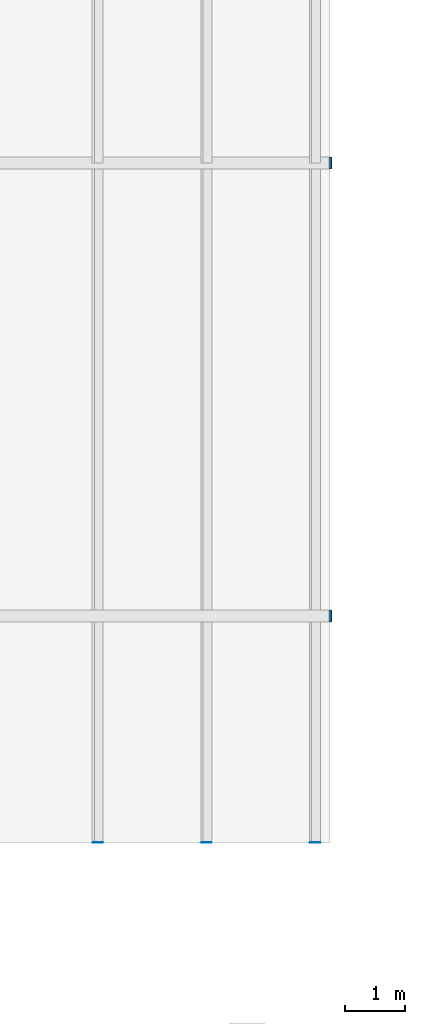
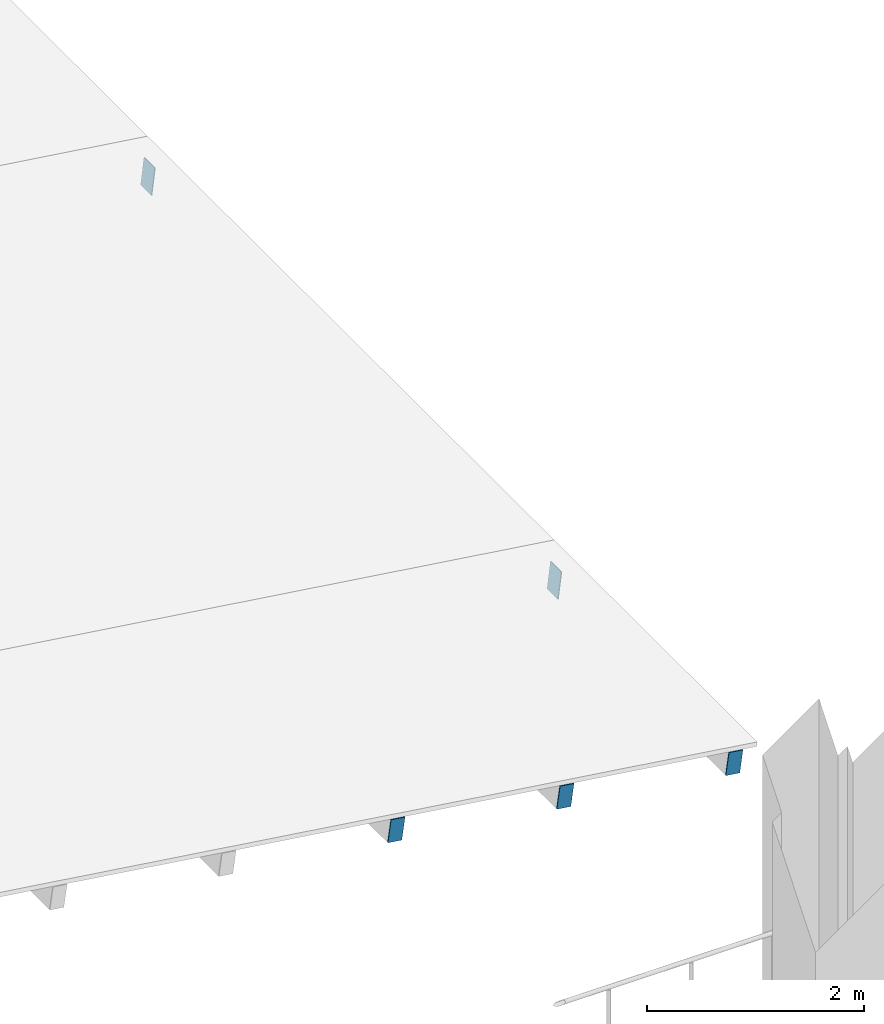
# One storey, part 30 of 52: 5 discrete accessories.
"""IFC4 building model written with IfcOpenShell, lengths in metres."""

from ifc_helpers import new_model, si_unit, direction, frame, origin, origin_2d, place, context, subcontext, project, spatial, rectangle, extrude, material, material_profile, profile_set, type_object, element, save


model = new_model("IFC4")

# Units and contexts
model_context = context("Model", 3, precision=1e-05, world=origin(), true_north=direction((0.0, 1.0)))
body_context = subcontext(model_context, "Body", "Model", "MODEL_VIEW")
ifc_project = project(units=[si_unit("LENGTHUNIT", "METRE"), si_unit("AREAUNIT", "SQUARE_METRE"), si_unit("VOLUMEUNIT", "CUBIC_METRE"), si_unit("PLANEANGLEUNIT", "RADIAN"), si_unit("MASSUNIT", "GRAM", prefix="KILO")], contexts=[model_context])

# Site, building, storey
site_placement = place(None, origin())
site = spatial("IfcSite", under=ifc_project, at=site_placement, CompositionType="ELEMENT")
building_placement = place(site_placement, origin())
building = spatial("IfcBuilding", under=site, at=building_placement, Name="Cour d'Honneur Mobility Palace", CompositionType="ELEMENT")
storey_placement = place(building_placement, frame((0.0, 0.0, 23.0)))
storey = spatial("IfcBuildingStorey", under=building, at=storey_placement, Name="L06", CompositionType="ELEMENT", Elevation=23.0)

# Discrete accessories
ifc_material_1 = material(Name="Steel S355", Category="steel")
ifc_material_profile_1 = material_profile(ifc_material_1, rectangle(XDim=0.14990234375, YDim=0.25, at=origin_2d()), Name="PL 250x150x10")
ifc_profile_set_1 = profile_set([ifc_material_profile_1], Name="Steel S355")
discrete_accessory_type_1 = type_object("IfcDiscreteAccessoryType", Name="End cap plate RHS 250x150x10", PredefinedType="USERDEFINED", material=ifc_profile_set_1)
for number, where, z_axis, x_axis, name in (
    (1, (18.52490234375, 66.139892578125, 0.55419921875), (0.0, 1.0, 0.0), (-0.990349673475, 0.0, 0.138591212736), "End cap plate EC-TU-C7.1-1"),
    (2, (16.72509765625, 66.139892578125, 0.80615234375), (0.0, 1.0, 0.0), (-0.990349673475, 0.0, 0.138591212736), "End cap plate EC-TU-C8.1-1"),
    (3, (14.925048828125, 66.139892578125, 1.05810546875), (0.0, 1.0, 0.0), (-0.990349673475, 0.0, 0.138591212736), "End cap plate EC-TU-C9.1-1"),
):
    element("IfcDiscreteAccessory", number, at=place(storey_placement, frame(where, z_axis=z_axis, x_axis=x_axis)), inside=storey, type_object=discrete_accessory_type_1, Name=name, ObjectType="END CAP PLATE", PredefinedType="USERDEFINED", context=body_context, shape_type="SweptSolid", body=[
        extrude(rectangle(XDim=0.14990234375, YDim=0.25, at=origin_2d()), origin(), (0.0, 0.0, 1.0), 0.010009765625),
    ])
ifc_material_2 = material(Name="Steel S355", Category="steel")
ifc_material_profile_2 = material_profile(ifc_material_2, rectangle(XDim=0.199951171875, YDim=0.300048828125, at=origin_2d()), Name="PL 300x200x10")
ifc_profile_set_2 = profile_set([ifc_material_profile_2], Name="Steel S355")
discrete_accessory_type_2 = type_object("IfcDiscreteAccessoryType", Name="End cap plate RHS 300x200x12.5", PredefinedType="USERDEFINED", material=ifc_profile_set_2)
for number, where, z_axis, x_axis, name in (
    (4, (18.77490234375, 69.89990234375, 0.241455078125), (0.992645877551, 0.0, -0.121054375311), (0.0, 1.0, 0.0), "End cap plate EC-TF-C1E-2"),
    (5, (18.77490234375, 77.39990234375, 0.241455078125), (0.992645877551, 0.0, -0.121054375311), (0.0, 1.0, 0.0), "End cap plate EC-TF-C2E-2"),
):
    element("IfcDiscreteAccessory", number, at=place(storey_placement, frame(where, z_axis=z_axis, x_axis=x_axis)), inside=storey, type_object=discrete_accessory_type_2, Name=name, ObjectType="END CAP PLATE", PredefinedType="USERDEFINED", context=body_context, shape_type="SweptSolid", body=[
        extrude(rectangle(XDim=0.199951171875, YDim=0.300048828125, at=origin_2d()), origin(), (0.0, 0.0, 1.0), 0.010009765625),
    ])

save(model, "model.ifc")
